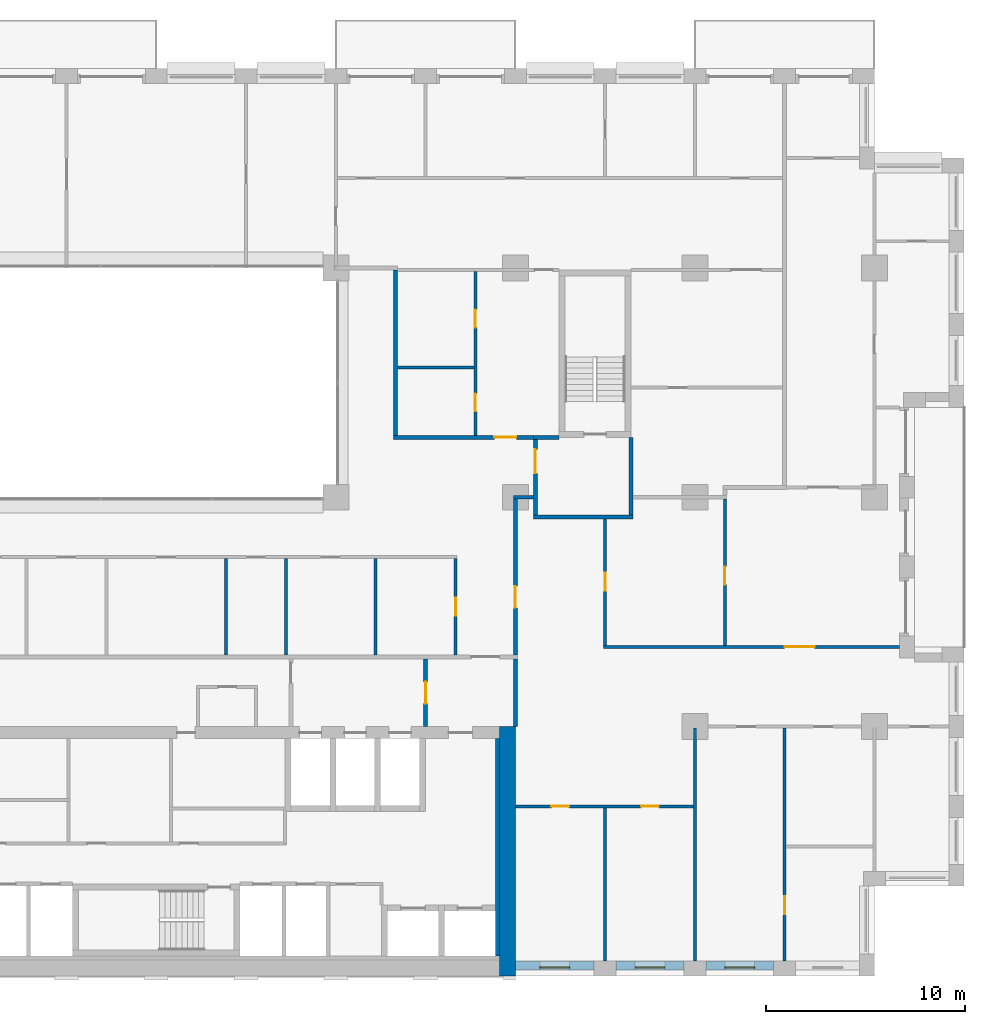
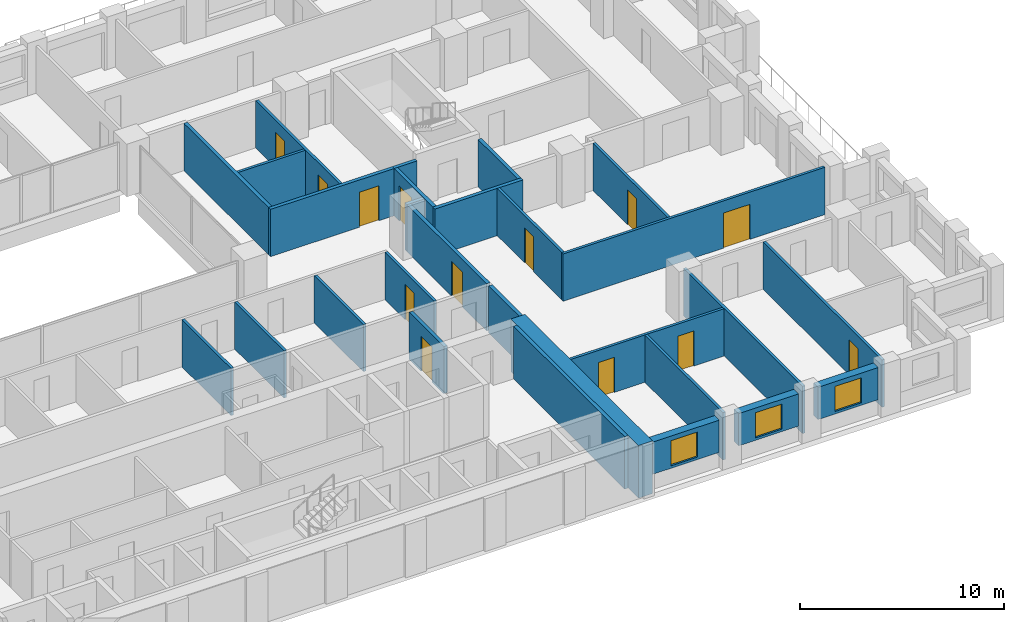
# One storey, part 11 of 16: 28 walls, 13 doors, 3 windows, 16 openings.
"""IFC4 building model written with IfcOpenShell, lengths in metres."""

import ifcopenshell
import ifcopenshell.guid

model = None  # the IFC model being written
_history = None  # IfcOwnerHistory: only IFC2X3 demands one
_inside = {}  # id of a spatial element -> (the spatial element, [elements in it])
_under = {}  # id of a project, library or spatial element -> (it, [spatial elements below it])
_declared = {}  # id of a project -> (the project, [libraries it declares])
_typed = {}  # id of a type object -> (the type object, [elements of that type])
_made_of = {}  # id of a material, layer set ... -> (it, [elements and type objects made of it])


def new_model(schema):
    """Start an empty IFC model of exactly this schema.

    Asked for "IFC4X3", IfcOpenShell would pick the latest addendum, in which some entities
    have other attributes; the version numbers below select the first issue.
    IFC2X3 requires an IfcOwnerHistory on every rooted entity: one is made here for all.
    """
    global model, _history
    if schema == "IFC4X3":
        model = ifcopenshell.file(schema_version=(4, 3, 0, 0))
    else:
        model = ifcopenshell.file(schema=schema)
    _inside.clear()
    _under.clear()
    _declared.clear()
    _typed.clear()
    _made_of.clear()
    _history = None
    if model.schema == "IFC2X3":
        org = make("IfcOrganization", Name="unknown")
        user = make(
            "IfcPersonAndOrganization",
            ThePerson=make("IfcPerson", FamilyName="unknown"),
            TheOrganization=org,
        )
        app = make(
            "IfcApplication",
            ApplicationDeveloper=org,
            Version="unknown",
            ApplicationFullName="unknown",
            ApplicationIdentifier="unknown",
        )
        _history = make(
            "IfcOwnerHistory",
            OwningUser=user,
            OwningApplication=app,
            ChangeAction="ADDED",
            CreationDate=0,
        )
    return model


def make(cls, **values):
    """One entity of the class cls with the attributes given. An attribute that is None is left unset."""
    return model.create_entity(
        cls, **{name: value for name, value in values.items() if value is not None}
    )


def rooted(cls, **values):
    """An entity with a GlobalId (a new one), such as an element, a storey or a relation."""
    return make(cls, GlobalId=ifcopenshell.guid.new(), OwnerHistory=_history, **values)


def si_unit(unit_type, name, prefix=None):
    """IfcSIUnit, for example si_unit("LENGTHUNIT", "METRE", prefix="MILLI")."""
    return make("IfcSIUnit", UnitType=unit_type, Prefix=prefix, Name=name)


def assignment(units):
    """IfcUnitAssignment: the units of a project."""
    return None if units is None else make("IfcUnitAssignment", Units=units)


def point(xyz):
    """IfcCartesianPoint."""
    return None if xyz is None else make("IfcCartesianPoint", Coordinates=xyz)


def direction(xyz):
    """IfcDirection."""
    return None if xyz is None else make("IfcDirection", DirectionRatios=xyz)


def frame(location, z_axis=None, x_axis=None):
    """IfcAxis2Placement3D, a coordinate frame: its origin and axes. An axis left out is left unset."""
    return make(
        "IfcAxis2Placement3D",
        Location=point(location),
        Axis=direction(z_axis),
        RefDirection=direction(x_axis),
    )


def frame_2d(location, x_axis=None):
    """IfcAxis2Placement2D, a coordinate frame in the plane: its origin and x axis."""
    return make(
        "IfcAxis2Placement2D", Location=point(location), RefDirection=direction(x_axis)
    )


def origin():
    """The frame at (0, 0, 0) with its axes left unset."""
    return frame((0.0, 0.0, 0.0))


def place(relative_to, where):
    """IfcLocalPlacement: puts the frame where relative to a parent placement (None: the world)."""
    return make(
        "IfcLocalPlacement", PlacementRelTo=relative_to, RelativePlacement=where
    )


def context(
    kind, dimensions, precision=None, world=None, true_north=None, identifier=None
):
    """IfcGeometricRepresentationContext, for example the 3D "Model" context."""
    return make(
        "IfcGeometricRepresentationContext",
        ContextIdentifier=identifier,
        ContextType=kind,
        CoordinateSpaceDimension=dimensions,
        Precision=precision,
        WorldCoordinateSystem=world,
        TrueNorth=true_north,
    )


def subcontext(parent, identifier, kind, view, scale=None):
    """IfcGeometricRepresentationSubContext, for example "Body" below "Model"."""
    return make(
        "IfcGeometricRepresentationSubContext",
        ContextIdentifier=identifier,
        ContextType=kind,
        ParentContext=parent,
        TargetScale=scale,
        TargetView=view,
    )


def project(units=None, contexts=None):
    """IfcProject with its units and contexts."""
    return rooted(
        "IfcProject",
        Name="project",
        RepresentationContexts=contexts,
        UnitsInContext=assignment(units),
    )


def spatial(cls, under=None, at=None, **own):
    """A site, building, storey or space (cls), placed at a placement, below another one or the project."""
    s = rooted(cls, ObjectPlacement=at, **own)
    if under is not None:
        _under.setdefault(under.id(), (under, []))[1].append(s)
    return s


def profile(cls, at=None, kind="AREA", **sizes):
    """A parametric profile (cls). Its sizes go by their IFC names, for example OverallWidth=200.0."""
    return make(cls, ProfileType=kind, Position=at, **sizes)


def rectangle(**sizes):
    """IfcRectangleProfileDef."""
    return profile("IfcRectangleProfileDef", **sizes)


def extrude(swept, where, along, depth):
    """IfcExtrudedAreaSolid: the profile swept, set in the frame where, extruded along a direction by depth."""
    return make(
        "IfcExtrudedAreaSolid",
        SweptArea=swept,
        Position=where,
        ExtrudedDirection=direction(along),
        Depth=depth,
    )


def shape(context_of_items, identifier, shape_type, items):
    """IfcShapeRepresentation: the items that make up one representation, for example the "Body"."""
    return make(
        "IfcShapeRepresentation",
        ContextOfItems=context_of_items,
        RepresentationIdentifier=identifier,
        RepresentationType=shape_type,
        Items=items,
    )


def material(Name=None, Category=None):
    """IfcMaterial."""
    return make("IfcMaterial", Name=Name, Category=Category)


def layer(
    of_material, thickness, ventilated=None, Name=None, Category=None, Priority=None
):
    """IfcMaterialLayer: one layer of a wall or slab, of a material (None: an air gap)."""
    return make(
        "IfcMaterialLayer",
        Material=of_material,
        LayerThickness=thickness,
        IsVentilated=ventilated,
        Name=Name,
        Category=Category,
        Priority=Priority,
    )


def layer_set(layers, Name=None):
    """IfcMaterialLayerSet."""
    return make("IfcMaterialLayerSet", MaterialLayers=layers, LayerSetName=Name)


def made_of(thing, what):
    """Note that an element or type object is made of a material, layer set ...; save() writes the relation."""
    if what is not None:
        _made_of.setdefault(what.id(), (what, []))[1].append(thing)
    return thing


def type_object(cls, material=None, **own):
    """A type object (cls), such as IfcWallType, which elements share."""
    return made_of(rooted(cls, **own), material)


def element(
    cls,
    number,
    at=None,
    inside=None,
    cuts=None,
    type_object=None,
    material=None,
    context=None,
    identifier="Body",
    shape_type=None,
    held_by="IfcProductDefinitionShape",
    body=None,
    shapes=None,
    **own,
):
    """One element of the class cls, such as IfcWall. Its Tag is "e" and its number.

    at: its placement. inside: the storey or other place that contains it. cuts: it is an
    opening in that element (IfcRelVoidsElement). A single representation is given by context,
    identifier, shape_type and body (its items); several are given by shapes. held_by: the class
    of the entity that holds the representations. save() writes the other relations.
    """
    e = rooted(cls, Tag="e%d" % number, ObjectPlacement=at, **own)
    if body is not None:
        shapes = [shape(context, identifier, shape_type, body)]
    if shapes is not None:
        e.Representation = make(held_by, Representations=shapes)
    if inside is not None:
        _inside.setdefault(inside.id(), (inside, []))[1].append(e)
    if cuts is not None:
        rooted(
            "IfcRelVoidsElement", RelatingBuildingElement=cuts, RelatedOpeningElement=e
        )
    if type_object is not None:
        _typed.setdefault(type_object.id(), (type_object, []))[1].append(e)
    return made_of(e, material)


def fill(opening, filler):
    """IfcRelFillsElement: the door or window that sits in an opening."""
    return rooted(
        "IfcRelFillsElement",
        RelatingOpeningElement=opening,
        RelatedBuildingElement=filler,
    )


def aggregate(whole, parts):
    """IfcRelAggregates: a whole, such as a stair, and the parts it consists of."""
    return rooted("IfcRelAggregates", RelatingObject=whole, RelatedObjects=parts)


def save(model, path):
    """Write the relations noted so far, then the file.

    IfcRelAggregates (storeys below a building ...), IfcRelContainedInSpatialStructure (elements
    in a storey), IfcRelDefinesByType, IfcRelAssociatesMaterial and IfcRelDeclares: one each for
    every whole, place, type object, material and project.
    """
    for whole, parts in _under.values():
        aggregate(whole, parts)
    for where, things in _inside.values():
        rooted(
            "IfcRelContainedInSpatialStructure",
            RelatedElements=things,
            RelatingStructure=where,
        )
    for kind, things in _typed.values():
        rooted("IfcRelDefinesByType", RelatedObjects=things, RelatingType=kind)
    for what, things in _made_of.values():
        rooted("IfcRelAssociatesMaterial", RelatedObjects=things, RelatingMaterial=what)
    for by, libraries in _declared.values():
        rooted("IfcRelDeclares", RelatingContext=by, RelatedDefinitions=libraries)
    model.write(path)


model = new_model("IFC4")

# Units and contexts
model_context = context("Model", 3, precision=1e-05, world=origin(), true_north=direction((0.0, 1.0)))
body_context = subcontext(model_context, "Body", "Model", "MODEL_VIEW")
ifc_project = project(units=[si_unit("LENGTHUNIT", "METRE"), si_unit("AREAUNIT", "SQUARE_METRE"), si_unit("VOLUMEUNIT", "CUBIC_METRE"), si_unit("PLANEANGLEUNIT", "RADIAN"), si_unit("MASSUNIT", "GRAM", prefix="KILO")], contexts=[model_context])

# Site, building, storey
site_placement = place(None, origin())
site = spatial("IfcSite", under=ifc_project, at=site_placement, CompositionType="ELEMENT")
building_placement = place(site_placement, origin())
building = spatial("IfcBuilding", under=site, at=building_placement, Name="Brigalow Station Residences", CompositionType="ELEMENT")
storey_placement = place(building_placement, frame((0.0, 0.0, 99.300048828125)))
storey = spatial("IfcBuildingStorey", under=building, at=storey_placement, Name="L28", CompositionType="ELEMENT", Elevation=99.300048828125)

# Wall, opening, window
ifc_material_1 = material(Name="Clay brick masonry", Category="masonry")
ifc_layer_1 = layer(ifc_material_1, 0.449951171875)
ifc_layer_set_1 = layer_set([ifc_layer_1], Name="BRICK INFILL WALL 450")
wall_type_1 = type_object("IfcWallType", Name="BRICK INFILL WALL 450", PredefinedType="SOLIDWALL", material=ifc_layer_set_1)
wall_1_placement = place(storey_placement, frame((54.0, 0.52490234375, 0.89990234375), z_axis=(0.0, 0.0, 1.0), x_axis=(1.0, 0.0, 0.0)))
wall_1 = element("IfcWall", 1, at=wall_1_placement, inside=storey, type_object=wall_type_1, Name="L28/ewall/W-L28-4", PredefinedType="SOLIDWALL", context=body_context, shape_type="SweptSolid", body=[
    extrude(rectangle(XDim=3.949951171875, YDim=0.449951171875, at=frame_2d((1.97509765625, 0.0))), origin(), (0.0, 0.0, 1.0), 1.929931640625),
])
opening_1_placement = place(wall_1_placement, frame((1.22509765625, 0.0, 0.14990234375)))
opening_1 = element("IfcOpeningElement", 2, at=opening_1_placement, cuts=wall_1, Name="Opening WT-1", PredefinedType="OPENING", context=body_context, shape_type="SweptSolid", body=[
    extrude(rectangle(XDim=1.5, YDim=1.5, at=frame_2d((0.75, 0.75))), frame((0.0, 0.23486328125, 0.0), z_axis=(0.0, -1.0, 0.0), x_axis=(1.0, 0.0, 0.0)), (0.0, 0.0, 1.0), 0.469970703125),
])
ifc_material_2 = material(Name="Anodised aluminium frame with double glazing", Category="aluminium")
window_type = type_object("IfcWindowType", Name="WINDOW 1500x1500", PartitioningType="SINGLE_PANEL", PredefinedType="WINDOW", material=ifc_material_2)
window_1_placement = place(opening_1_placement, origin())
window_1 = element("IfcWindow", 3, at=window_1_placement, inside=storey, type_object=window_type, Name="L28/window/W-L28-4", OverallHeight=1.5, OverallWidth=1.5, PartitioningType="SINGLE_PANEL", PredefinedType="WINDOW", context=body_context, shape_type="SweptSolid", body=[
    extrude(rectangle(XDim=1.5, YDim=1.5, at=frame_2d((0.75, 0.75))), frame((0.0, -0.06494140625, 0.0), z_axis=(0.0, -1.0, 0.0), x_axis=(1.0, 0.0, 0.0)), (0.0, 0.0, 1.0), 0.06005859375),
])
fill(opening_1, window_1)

wall_2_placement = place(storey_placement, frame((59.050048828125, 0.52490234375, 0.89990234375), z_axis=(0.0, 0.0, 1.0), x_axis=(1.0, 0.0, 0.0)))
wall_2 = element("IfcWall", 4, at=wall_2_placement, inside=storey, type_object=wall_type_1, Name="L28/ewall/W-L28-5", PredefinedType="SOLIDWALL", context=body_context, shape_type="SweptSolid", body=[
    extrude(rectangle(XDim=3.39990234375, YDim=0.449951171875, at=frame_2d((1.699951171875, 0.0))), origin(), (0.0, 0.0, 1.0), 1.929931640625),
])
opening_2_placement = place(wall_2_placement, frame((0.949951171875, 0.0, 0.14990234375)))
opening_2 = element("IfcOpeningElement", 5, at=opening_2_placement, cuts=wall_2, Name="Opening WT-1", PredefinedType="OPENING", context=body_context, shape_type="SweptSolid", body=[
    extrude(rectangle(XDim=1.5, YDim=1.5, at=frame_2d((0.75, 0.75))), frame((0.0, 0.23486328125, 0.0), z_axis=(0.0, -1.0, 0.0), x_axis=(1.0, 0.0, 0.0)), (0.0, 0.0, 1.0), 0.469970703125),
])
window_2_placement = place(opening_2_placement, origin())
window_2 = element("IfcWindow", 6, at=window_2_placement, inside=storey, type_object=window_type, Name="L28/window/W-L28-5", OverallHeight=1.5, OverallWidth=1.5, PartitioningType="SINGLE_PANEL", PredefinedType="WINDOW", context=body_context, shape_type="SweptSolid", body=[
    extrude(rectangle(XDim=1.5, YDim=1.5, at=frame_2d((0.75, 0.75))), frame((0.0, -0.06494140625, 0.0), z_axis=(0.0, -1.0, 0.0), x_axis=(1.0, 0.0, 0.0)), (0.0, 0.0, 1.0), 0.06005859375),
])
fill(opening_2, window_2)

wall_3_placement = place(storey_placement, frame((63.550048828125, 0.52490234375, 0.89990234375), z_axis=(0.0, 0.0, 1.0), x_axis=(1.0, 0.0, 0.0)))
wall_3 = element("IfcWall", 7, at=wall_3_placement, inside=storey, type_object=wall_type_1, Name="L28/ewall/W-L28-6", PredefinedType="SOLIDWALL", context=body_context, shape_type="SweptSolid", body=[
    extrude(rectangle(XDim=3.39990234375, YDim=0.449951171875, at=frame_2d((1.699951171875, 0.0))), origin(), (0.0, 0.0, 1.0), 1.929931640625),
])
opening_3_placement = place(wall_3_placement, frame((0.949951171875, 0.0, 0.14990234375)))
opening_3 = element("IfcOpeningElement", 8, at=opening_3_placement, cuts=wall_3, Name="Opening WT-1", PredefinedType="OPENING", context=body_context, shape_type="SweptSolid", body=[
    extrude(rectangle(XDim=1.5, YDim=1.5, at=frame_2d((0.75, 0.75))), frame((0.0, 0.23486328125, 0.0), z_axis=(0.0, -1.0, 0.0), x_axis=(1.0, 0.0, 0.0)), (0.0, 0.0, 1.0), 0.469970703125),
])
window_3_placement = place(opening_3_placement, origin())
window_3 = element("IfcWindow", 9, at=window_3_placement, inside=storey, type_object=window_type, Name="L28/window/W-L28-6", OverallHeight=1.5, OverallWidth=1.5, PartitioningType="SINGLE_PANEL", PredefinedType="WINDOW", context=body_context, shape_type="SweptSolid", body=[
    extrude(rectangle(XDim=1.5, YDim=1.5, at=frame_2d((0.75, 0.75))), frame((0.0, -0.06494140625, 0.0), z_axis=(0.0, -1.0, 0.0), x_axis=(1.0, 0.0, 0.0)), (0.0, 0.0, 1.0), 0.06005859375),
])
fill(opening_3, window_3)

# Walls
ifc_material_3 = material(Name="Concrete C65", Category="concrete")
ifc_layer_2 = layer(ifc_material_3, 0.199951171875)
ifc_layer_set_2 = layer_set([ifc_layer_2], Name="CORE SHEAR WALL 200 C65")
wall_type_2 = type_object("IfcWallType", Name="CORE SHEAR WALL 200 C65", PredefinedType="SHEAR", material=ifc_layer_set_2)
wall_4_placement = place(storey_placement, frame((53.10009765625, 1.0, 0.0), z_axis=(0.0, 0.0, 1.0), x_axis=(0.0, 1.0, 0.0)))
element("IfcWall", 10, at=wall_4_placement, inside=storey, type_object=wall_type_2, Name="CORE WALL LIN-E L28", PredefinedType="SHEAR", context=body_context, shape_type="SweptSolid", body=[
    extrude(rectangle(XDim=10.89990234375, YDim=0.199951171875, at=frame_2d((5.449951171875, 0.0))), origin(), (0.0, 0.0, 1.0), 3.14990234375),
])
ifc_material_4 = material(Name="Concrete C65", Category="concrete")
ifc_layer_3 = layer(ifc_material_4, 0.800048828125)
ifc_layer_set_3 = layer_set([ifc_layer_3], Name="CORE SHEAR WALL 800 C65")
wall_type_3 = type_object("IfcWallType", Name="CORE SHEAR WALL 800 C65", PredefinedType="SHEAR", material=ifc_layer_set_3)
wall_5_placement = place(storey_placement, frame((53.60009765625, 0.0, 0.0), z_axis=(0.0, 0.0, 1.0), x_axis=(0.0, 1.0, 0.0)))
element("IfcWall", 11, at=wall_5_placement, inside=storey, type_object=wall_type_3, Name="CORE WALL OUT-E L28", PredefinedType="SHEAR", context=body_context, shape_type="SweptSolid", body=[
    extrude(rectangle(XDim=12.5, YDim=0.800048828125, at=frame_2d((6.25, 0.0))), origin(), (0.0, 0.0, 1.0), 3.14990234375),
])
ifc_material_5 = material(Name="Concrete blockwork", Category="masonry")
ifc_layer_4 = layer(ifc_material_5, 0.199951171875)
ifc_layer_set_4 = layer_set([ifc_layer_4], Name="FIRE RATED CORE PARTITION 200")
wall_type_4 = type_object("IfcWallType", Name="FIRE RATED CORE PARTITION 200", PredefinedType="PARTITIONING", material=ifc_layer_set_4)
wall_6_placement = place(storey_placement, frame((54.89990234375, 23.0, 0.0), z_axis=(0.0, 0.0, 1.0), x_axis=(1.0, 0.0, 0.0)))
element("IfcWall", 12, at=wall_6_placement, inside=storey, type_object=wall_type_4, Name="PW-5024", PredefinedType="PARTITIONING", context=body_context, shape_type="SweptSolid", body=[
    extrude(rectangle(XDim=5.0, YDim=0.199951171875, at=frame_2d((2.5, 0.0))), origin(), (0.0, 0.0, 1.0), 2.829833984375),
])
wall_7_placement = place(storey_placement, frame((54.89990234375, 27.0, 0.0), z_axis=(0.0, 0.0, 1.0), x_axis=(1.0, 0.0, 0.0)))
element("IfcWall", 13, at=wall_7_placement, inside=storey, type_object=wall_type_4, Name="PW-5026", PredefinedType="PARTITIONING", context=body_context, shape_type="SweptSolid", body=[
    extrude(rectangle(XDim=1.300048828125, YDim=0.199951171875, at=frame_2d((0.64990234375, 0.0))), origin(), (0.0, 0.0, 1.0), 2.829833984375),
])

# Wall, opening, door
wall_8_placement = place(storey_placement, frame((49.5, 12.5, 0.0), z_axis=(0.0, 0.0, 1.0), x_axis=(0.0, 1.0, 0.0)))
wall_8 = element("IfcWall", 14, at=wall_8_placement, inside=storey, type_object=wall_type_4, Name="PW-5015", PredefinedType="PARTITIONING", context=body_context, shape_type="SweptSolid", body=[
    extrude(rectangle(XDim=3.39990234375, YDim=0.199951171875, at=frame_2d((1.699951171875, 0.0))), origin(), (0.0, 0.0, 1.0), 2.829833984375),
])
opening_4_placement = place(wall_8_placement, frame((1.14990234375, 0.0, 0.0)))
opening_4 = element("IfcOpeningElement", 15, at=opening_4_placement, cuts=wall_8, Name="Opening D-5014", PredefinedType="OPENING", context=body_context, shape_type="SweptSolid", body=[
    extrude(rectangle(XDim=1.10009765625, YDim=2.10009765625, at=frame_2d((0.550048828125, 1.050048828125))), frame((0.0, 0.10986328125, 0.0), z_axis=(0.0, -1.0, 0.0), x_axis=(1.0, 0.0, 0.0)), (0.0, 0.0, 1.0), 0.219970703125),
])
ifc_material_6 = material(Name="Steel fire door leaf in steel frame", Category="steel")
door_type_1 = type_object("IfcDoorType", Name="LOBBY DOOR 1100 x 2100 FD60S", OperationType="SINGLE_SWING_LEFT", PredefinedType="DOOR", material=ifc_material_6)
door_1_placement = place(opening_4_placement, origin())
door_1 = element("IfcDoor", 16, at=door_1_placement, inside=storey, type_object=door_type_1, Name="D-5014", OperationType="SINGLE_SWING_LEFT", OverallHeight=2.10009765625, OverallWidth=1.10009765625, PredefinedType="DOOR", context=body_context, shape_type="SweptSolid", body=[
    extrude(rectangle(XDim=1.10009765625, YDim=2.10009765625, at=frame_2d((0.550048828125, 1.050048828125))), frame((0.0, 0.02490234375, 0.0), z_axis=(0.0, -1.0, 0.0), x_axis=(1.0, 0.0, 0.0)), (0.0, 0.0, 1.0), 0.050048828125),
])
fill(opening_4, door_1)

# Wall
wall_9_placement = place(storey_placement, frame((54.0, 12.5, 0.0), z_axis=(0.0, 0.0, 1.0), x_axis=(0.0, 1.0, 0.0)))
element("IfcWall", 17, at=wall_9_placement, inside=storey, type_object=wall_type_4, Name="PW-5016", PredefinedType="PARTITIONING", context=body_context, shape_type="SweptSolid", body=[
    extrude(rectangle(XDim=3.39990234375, YDim=0.199951171875, at=frame_2d((1.699951171875, 0.0))), origin(), (0.0, 0.0, 1.0), 2.829833984375),
])

# Wall, opening, door
wall_10_placement = place(storey_placement, frame((55.0, 23.10009765625, 0.0), z_axis=(0.0, 0.0, 1.0), x_axis=(0.0, 1.0, 0.0)))
wall_10 = element("IfcWall", 18, at=wall_10_placement, inside=storey, type_object=wall_type_4, Name="PW-5036", PredefinedType="PARTITIONING", context=body_context, shape_type="SweptSolid", body=[
    extrude(rectangle(XDim=3.7998046875, YDim=0.199951171875, at=frame_2d((1.89990234375, 0.0))), origin(), (0.0, 0.0, 1.0), 2.829833984375),
])
opening_5_placement = place(wall_10_placement, frame((2.10009765625, 0.0, 0.0)))
opening_5 = element("IfcOpeningElement", 19, at=opening_5_placement, cuts=wall_10, Name="Opening D-5019", PredefinedType="OPENING", context=body_context, shape_type="SweptSolid", body=[
    extrude(rectangle(XDim=1.199951171875, YDim=2.10009765625, at=frame_2d((0.60009765625, 1.050048828125))), frame((0.0, 0.10986328125, 0.0), z_axis=(0.0, -1.0, 0.0), x_axis=(1.0, 0.0, 0.0)), (0.0, 0.0, 1.0), 0.219970703125),
])
ifc_material_7 = material(Name="Steel fire door leaf in steel frame", Category="steel")
door_type_2 = type_object("IfcDoorType", Name="STAIR LOBBY DOOR 1200 x 2100 FD60S", OperationType="SINGLE_SWING_LEFT", PredefinedType="DOOR", material=ifc_material_7)
door_2_placement = place(opening_5_placement, frame((1.199951171875, 0.0, 0.0), z_axis=(0.0, 0.0, 1.0), x_axis=(-1.0, 0.0, 0.0)))
door_2 = element("IfcDoor", 20, at=door_2_placement, inside=storey, type_object=door_type_2, Name="D-5019", OperationType="SINGLE_SWING_LEFT", OverallHeight=2.10009765625, OverallWidth=1.199951171875, PredefinedType="DOOR", context=body_context, shape_type="SweptSolid", body=[
    extrude(rectangle(XDim=1.199951171875, YDim=2.10009765625, at=frame_2d((0.60009765625, 1.050048828125))), frame((0.0, 0.02490234375, 0.0), z_axis=(0.0, -1.0, 0.0), x_axis=(1.0, 0.0, 0.0)), (0.0, 0.0, 1.0), 0.050048828125),
])
fill(opening_5, door_2)

# Wall
wall_11_placement = place(storey_placement, frame((59.800048828125, 23.10009765625, 0.0), z_axis=(0.0, 0.0, 1.0), x_axis=(0.0, 1.0, 0.0)))
element("IfcWall", 21, at=wall_11_placement, inside=storey, type_object=wall_type_4, Name="PW-5037", PredefinedType="PARTITIONING", context=body_context, shape_type="SweptSolid", body=[
    extrude(rectangle(XDim=3.89990234375, YDim=0.199951171875, at=frame_2d((1.949951171875, 0.0))), origin(), (0.0, 0.0, 1.0), 2.829833984375),
])

# Wall, openings, doors
ifc_material_8 = material(Name="Plasterboard on steel stud partition", Category="steel")
ifc_layer_5 = layer(ifc_material_8, 0.14990234375)
ifc_layer_set_5 = layer_set([ifc_layer_5], Name="FLAT PARTITION 150")
wall_type_5 = type_object("IfcWallType", Name="FLAT PARTITION 150", PredefinedType="PARTITIONING", material=ifc_layer_set_5)
wall_12_placement = place(storey_placement, frame((54.0, 8.5, 0.0), z_axis=(0.0, 0.0, 1.0), x_axis=(1.0, 0.0, 0.0)))
wall_12 = element("IfcWall", 22, at=wall_12_placement, inside=storey, type_object=wall_type_5, Name="PW-2B12", PredefinedType="PARTITIONING", context=body_context, shape_type="SweptSolid", body=[
    extrude(rectangle(XDim=8.925048828125, YDim=0.14990234375, at=frame_2d((4.46240234375, 0.0))), origin(), (0.0, 0.0, 1.0), 2.829833984375),
])
opening_6_placement = place(wall_12_placement, frame((1.800048828125, 0.0, 0.0)))
opening_6 = element("IfcOpeningElement", 23, at=opening_6_placement, cuts=wall_12, Name="Opening D-2B34", PredefinedType="OPENING", context=body_context, shape_type="SweptSolid", body=[
    extrude(rectangle(XDim=0.89990234375, YDim=2.10009765625, at=frame_2d((0.449951171875, 1.050048828125))), frame((0.0, 0.0849609375, 0.0), z_axis=(0.0, -1.0, 0.0), x_axis=(1.0, 0.0, 0.0)), (0.0, 0.0, 1.0), 0.169921875),
])
opening_7_placement = place(wall_12_placement, frame((6.300048828125, 0.0, 0.0)))
opening_7 = element("IfcOpeningElement", 24, at=opening_7_placement, cuts=wall_12, Name="Opening D-2B36", PredefinedType="OPENING", context=body_context, shape_type="SweptSolid", body=[
    extrude(rectangle(XDim=0.89990234375, YDim=2.10009765625, at=frame_2d((0.449951171875, 1.050048828125))), frame((0.0, 0.0849609375, 0.0), z_axis=(0.0, -1.0, 0.0), x_axis=(1.0, 0.0, 0.0)), (0.0, 0.0, 1.0), 0.169921875),
])
ifc_material_9 = material(Name="Solid-core timber door leaf", Category="wood")
door_type_3 = type_object("IfcDoorType", Name="INTERNAL DOOR 900 x 2100", OperationType="SINGLE_SWING_LEFT", PredefinedType="DOOR", material=ifc_material_9)
door_3_placement = place(opening_6_placement, frame((0.89990234375, 0.0, 0.0), z_axis=(0.0, 0.0, 1.0), x_axis=(-1.0, 0.0, 0.0)))
door_3 = element("IfcDoor", 25, at=door_3_placement, inside=storey, type_object=door_type_3, Name="D-2B34", OperationType="SINGLE_SWING_LEFT", OverallHeight=2.10009765625, OverallWidth=0.89990234375, PredefinedType="DOOR", context=body_context, shape_type="SweptSolid", body=[
    extrude(rectangle(XDim=0.89990234375, YDim=2.10009765625, at=frame_2d((0.449951171875, 1.050048828125))), frame((0.0, 0.02490234375, 0.0), z_axis=(0.0, -1.0, 0.0), x_axis=(1.0, 0.0, 0.0)), (0.0, 0.0, 1.0), 0.050048828125),
])
fill(opening_6, door_3)
door_4_placement = place(opening_7_placement, frame((0.89990234375, 0.0, 0.0), z_axis=(0.0, 0.0, 1.0), x_axis=(-1.0, 0.0, 0.0)))
door_4 = element("IfcDoor", 26, at=door_4_placement, inside=storey, type_object=door_type_3, Name="D-2B36", OperationType="SINGLE_SWING_RIGHT", OverallHeight=2.10009765625, OverallWidth=0.89990234375, PredefinedType="DOOR", context=body_context, shape_type="SweptSolid", body=[
    extrude(rectangle(XDim=0.89990234375, YDim=2.10009765625, at=frame_2d((0.449951171875, 1.050048828125))), frame((0.0, 0.02490234375, 0.0), z_axis=(0.0, -1.0, 0.0), x_axis=(1.0, 0.0, 0.0)), (0.0, 0.0, 1.0), 0.050048828125),
])
fill(opening_7, door_4)

# Wall, opening, door
wall_13_placement = place(storey_placement, frame((58.425048828125, 16.5, 0.0), z_axis=(0.0, 0.0, 1.0), x_axis=(1.0, 0.0, 0.0)))
wall_13 = element("IfcWall", 27, at=wall_13_placement, inside=storey, type_object=wall_type_5, Name="PW-2B15", PredefinedType="PARTITIONING", context=body_context, shape_type="SweptSolid", body=[
    extrude(rectangle(XDim=14.824951171875, YDim=0.14990234375, at=frame_2d((7.41259765625, 0.0))), origin(), (0.0, 0.0, 1.0), 2.829833984375),
])
opening_8_placement = place(wall_13_placement, frame((9.074951171875, 0.0, 0.0)))
opening_8 = element("IfcOpeningElement", 28, at=opening_8_placement, cuts=wall_13, Name="Opening D-2B42", PredefinedType="OPENING", context=body_context, shape_type="SweptSolid", body=[
    extrude(rectangle(XDim=1.5, YDim=2.10009765625, at=frame_2d((0.75, 1.050048828125))), frame((0.0, 0.0849609375, 0.0), z_axis=(0.0, -1.0, 0.0), x_axis=(1.0, 0.0, 0.0)), (0.0, 0.0, 1.0), 0.169921875),
])
ifc_material_10 = material(Name="Solid-core timber door leaf", Category="wood")
door_type_4 = type_object("IfcDoorType", Name="INTERNAL DOUBLE DOOR 1500 x 2100", OperationType="DOUBLE_DOOR_SINGLE_SWING", PredefinedType="DOOR", material=ifc_material_10)
door_5_placement = place(opening_8_placement, origin())
door_5 = element("IfcDoor", 29, at=door_5_placement, inside=storey, type_object=door_type_4, Name="D-2B42", OperationType="DOUBLE_DOOR_SINGLE_SWING", OverallHeight=2.10009765625, OverallWidth=1.5, PredefinedType="DOOR", context=body_context, shape_type="SweptSolid", body=[
    extrude(rectangle(XDim=1.5, YDim=2.10009765625, at=frame_2d((0.75, 1.050048828125))), frame((0.0, 0.02490234375, 0.0), z_axis=(0.0, -1.0, 0.0), x_axis=(1.0, 0.0, 0.0)), (0.0, 0.0, 1.0), 0.050048828125),
])
fill(opening_8, door_5)

# Wall
wall_14_placement = place(storey_placement, frame((48.10009765625, 30.5, 0.0), z_axis=(0.0, 0.0, 1.0), x_axis=(1.0, 0.0, 0.0)))
element("IfcWall", 30, at=wall_14_placement, inside=storey, type_object=wall_type_5, Name="PW-2B33", PredefinedType="PARTITIONING", context=body_context, shape_type="SweptSolid", body=[
    extrude(rectangle(XDim=3.824951171875, YDim=0.14990234375, at=frame_2d((1.91259765625, 0.0))), origin(), (0.0, 0.0, 1.0), 2.829833984375),
])

# Wall, opening, door
wall_15_placement = place(storey_placement, frame((51.0, 16.10009765625, 0.0), z_axis=(0.0, 0.0, 1.0), x_axis=(0.0, 1.0, 0.0)))
wall_15 = element("IfcWall", 31, at=wall_15_placement, inside=storey, type_object=wall_type_5, Name="PW-2B42", PredefinedType="PARTITIONING", context=body_context, shape_type="SweptSolid", body=[
    extrude(rectangle(XDim=4.824951171875, YDim=0.14990234375, at=frame_2d((2.41259765625, 0.0))), origin(), (0.0, 0.0, 1.0), 2.829833984375),
])
opening_9_placement = place(wall_15_placement, frame((1.949951171875, 0.0, 0.0)))
opening_9 = element("IfcOpeningElement", 32, at=opening_9_placement, cuts=wall_15, Name="Opening D-2B53", PredefinedType="OPENING", context=body_context, shape_type="SweptSolid", body=[
    extrude(rectangle(XDim=0.89990234375, YDim=2.10009765625, at=frame_2d((0.449951171875, 1.050048828125))), frame((0.0, 0.0849609375, 0.0), z_axis=(0.0, -1.0, 0.0), x_axis=(1.0, 0.0, 0.0)), (0.0, 0.0, 1.0), 0.169921875),
])
door_6_placement = place(opening_9_placement, origin())
door_6 = element("IfcDoor", 33, at=door_6_placement, inside=storey, type_object=door_type_3, Name="D-2B53", OperationType="SINGLE_SWING_LEFT", OverallHeight=2.10009765625, OverallWidth=0.89990234375, PredefinedType="DOOR", context=body_context, shape_type="SweptSolid", body=[
    extrude(rectangle(XDim=0.89990234375, YDim=2.10009765625, at=frame_2d((0.449951171875, 1.050048828125))), frame((0.0, 0.02490234375, 0.0), z_axis=(0.0, -1.0, 0.0), x_axis=(1.0, 0.0, 0.0)), (0.0, 0.0, 1.0), 0.050048828125),
])
fill(opening_9, door_6)

# Wall, openings, doors
wall_16_placement = place(storey_placement, frame((52.0, 27.10009765625, 0.0), z_axis=(0.0, 0.0, 1.0), x_axis=(0.0, 1.0, 0.0)))
wall_16 = element("IfcWall", 34, at=wall_16_placement, inside=storey, type_object=wall_type_5, Name="PW-2B53", PredefinedType="PARTITIONING", context=body_context, shape_type="SweptSolid", body=[
    extrude(rectangle(XDim=8.224853515625, YDim=0.14990234375, at=frame_2d((4.1123046875, 0.0))), origin(), (0.0, 0.0, 1.0), 2.829833984375),
])
opening_10_placement = place(wall_16_placement, frame((1.199951171875, 0.0, 0.0)))
opening_10 = element("IfcOpeningElement", 35, at=opening_10_placement, cuts=wall_16, Name="Opening D-2B21", PredefinedType="OPENING", context=body_context, shape_type="SweptSolid", body=[
    extrude(rectangle(XDim=0.89990234375, YDim=2.10009765625, at=frame_2d((0.449951171875, 1.050048828125))), frame((0.0, 0.0849609375, 0.0), z_axis=(0.0, -1.0, 0.0), x_axis=(1.0, 0.0, 0.0)), (0.0, 0.0, 1.0), 0.169921875),
])
opening_11_placement = place(wall_16_placement, frame((5.39990234375, 0.0, 0.0)))
opening_11 = element("IfcOpeningElement", 36, at=opening_11_placement, cuts=wall_16, Name="Opening D-2B22", PredefinedType="OPENING", context=body_context, shape_type="SweptSolid", body=[
    extrude(rectangle(XDim=0.89990234375, YDim=2.10009765625, at=frame_2d((0.449951171875, 1.050048828125))), frame((0.0, 0.0849609375, 0.0), z_axis=(0.0, -1.0, 0.0), x_axis=(1.0, 0.0, 0.0)), (0.0, 0.0, 1.0), 0.169921875),
])
door_7_placement = place(opening_10_placement, origin())
door_7 = element("IfcDoor", 37, at=door_7_placement, inside=storey, type_object=door_type_3, Name="D-2B21", OperationType="SINGLE_SWING_LEFT", OverallHeight=2.10009765625, OverallWidth=0.89990234375, PredefinedType="DOOR", context=body_context, shape_type="SweptSolid", body=[
    extrude(rectangle(XDim=0.89990234375, YDim=2.10009765625, at=frame_2d((0.449951171875, 1.050048828125))), frame((0.0, 0.02490234375, 0.0), z_axis=(0.0, -1.0, 0.0), x_axis=(1.0, 0.0, 0.0)), (0.0, 0.0, 1.0), 0.050048828125),
])
fill(opening_10, door_7)
door_8_placement = place(opening_11_placement, origin())
door_8 = element("IfcDoor", 38, at=door_8_placement, inside=storey, type_object=door_type_3, Name="D-2B22", OperationType="SINGLE_SWING_RIGHT", OverallHeight=2.10009765625, OverallWidth=0.89990234375, PredefinedType="DOOR", context=body_context, shape_type="SweptSolid", body=[
    extrude(rectangle(XDim=0.89990234375, YDim=2.10009765625, at=frame_2d((0.449951171875, 1.050048828125))), frame((0.0, 0.02490234375, 0.0), z_axis=(0.0, -1.0, 0.0), x_axis=(1.0, 0.0, 0.0)), (0.0, 0.0, 1.0), 0.050048828125),
])
fill(opening_11, door_8)

# Wall, opening, door
wall_17_placement = place(storey_placement, frame((67.5, 0.75, 0.0), z_axis=(0.0, 0.0, 1.0), x_axis=(0.0, 1.0, 0.0)))
wall_17 = element("IfcWall", 39, at=wall_17_placement, inside=storey, type_object=wall_type_5, Name="PW-2B57", PredefinedType="PARTITIONING", context=body_context, shape_type="SweptSolid", body=[
    extrude(rectangle(XDim=11.675048828125, YDim=0.14990234375, at=frame_2d((5.83740234375, 0.0))), origin(), (0.0, 0.0, 1.0), 2.829833984375),
])
opening_12_placement = place(wall_17_placement, frame((2.35009765625, 0.0, 0.0)))
opening_12 = element("IfcOpeningElement", 40, at=opening_12_placement, cuts=wall_17, Name="Opening D-2B38", PredefinedType="OPENING", context=body_context, shape_type="SweptSolid", body=[
    extrude(rectangle(XDim=0.89990234375, YDim=2.10009765625, at=frame_2d((0.449951171875, 1.050048828125))), frame((0.0, 0.0849609375, 0.0), z_axis=(0.0, -1.0, 0.0), x_axis=(1.0, 0.0, 0.0)), (0.0, 0.0, 1.0), 0.169921875),
])
door_9_placement = place(opening_12_placement, frame((0.89990234375, 0.0, 0.0), z_axis=(0.0, 0.0, 1.0), x_axis=(-1.0, 0.0, 0.0)))
door_9 = element("IfcDoor", 41, at=door_9_placement, inside=storey, type_object=door_type_3, Name="D-2B38", OperationType="SINGLE_SWING_RIGHT", OverallHeight=2.10009765625, OverallWidth=0.89990234375, PredefinedType="DOOR", context=body_context, shape_type="SweptSolid", body=[
    extrude(rectangle(XDim=0.89990234375, YDim=2.10009765625, at=frame_2d((0.449951171875, 1.050048828125))), frame((0.0, 0.02490234375, 0.0), z_axis=(0.0, -1.0, 0.0), x_axis=(1.0, 0.0, 0.0)), (0.0, 0.0, 1.0), 0.050048828125),
])
fill(opening_12, door_9)

# Wall
wall_18_placement = place(storey_placement, frame((58.5, 0.75, 0.0), z_axis=(0.0, 0.0, 1.0), x_axis=(0.0, 1.0, 0.0)))
element("IfcWall", 42, at=wall_18_placement, inside=storey, type_object=wall_type_5, Name="PW-2B60", PredefinedType="PARTITIONING", context=body_context, shape_type="SweptSolid", body=[
    extrude(rectangle(XDim=7.675048828125, YDim=0.14990234375, at=frame_2d((3.83740234375, 0.0))), origin(), (0.0, 0.0, 1.0), 2.829833984375),
])

# Wall, opening, door
wall_19_placement = place(storey_placement, frame((58.5, 16.574951171875, 0.0), z_axis=(0.0, 0.0, 1.0), x_axis=(0.0, 1.0, 0.0)))
wall_19 = element("IfcWall", 43, at=wall_19_placement, inside=storey, type_object=wall_type_5, Name="PW-2B61", PredefinedType="PARTITIONING", context=body_context, shape_type="SweptSolid", body=[
    extrude(rectangle(XDim=6.324951171875, YDim=0.14990234375, at=frame_2d((3.16259765625, 0.0))), origin(), (0.0, 0.0, 1.0), 2.829833984375),
])
opening_13_placement = place(wall_19_placement, frame((2.75, 0.0, 0.0)))
opening_13 = element("IfcOpeningElement", 44, at=opening_13_placement, cuts=wall_19, Name="Opening D-2B40", PredefinedType="OPENING", context=body_context, shape_type="SweptSolid", body=[
    extrude(rectangle(XDim=0.89990234375, YDim=2.10009765625, at=frame_2d((0.449951171875, 1.050048828125))), frame((0.0, 0.0849609375, 0.0), z_axis=(0.0, -1.0, 0.0), x_axis=(1.0, 0.0, 0.0)), (0.0, 0.0, 1.0), 0.169921875),
])
door_10_placement = place(opening_13_placement, frame((0.89990234375, 0.0, 0.0), z_axis=(0.0, 0.0, 1.0), x_axis=(-1.0, 0.0, 0.0)))
door_10 = element("IfcDoor", 45, at=door_10_placement, inside=storey, type_object=door_type_3, Name="D-2B40", OperationType="SINGLE_SWING_LEFT", OverallHeight=2.10009765625, OverallWidth=0.89990234375, PredefinedType="DOOR", context=body_context, shape_type="SweptSolid", body=[
    extrude(rectangle(XDim=0.89990234375, YDim=2.10009765625, at=frame_2d((0.449951171875, 1.050048828125))), frame((0.0, 0.02490234375, 0.0), z_axis=(0.0, -1.0, 0.0), x_axis=(1.0, 0.0, 0.0)), (0.0, 0.0, 1.0), 0.050048828125),
])
fill(opening_13, door_10)

# Wall
wall_20_placement = place(storey_placement, frame((63.0, 0.75, 0.0), z_axis=(0.0, 0.0, 1.0), x_axis=(0.0, 1.0, 0.0)))
element("IfcWall", 46, at=wall_20_placement, inside=storey, type_object=wall_type_5, Name="PW-2B63", PredefinedType="PARTITIONING", context=body_context, shape_type="SweptSolid", body=[
    extrude(rectangle(XDim=11.675048828125, YDim=0.14990234375, at=frame_2d((5.83740234375, 0.0))), origin(), (0.0, 0.0, 1.0), 2.829833984375),
])

# Wall, opening, door
wall_21_placement = place(storey_placement, frame((64.5, 16.574951171875, 0.0), z_axis=(0.0, 0.0, 1.0), x_axis=(0.0, 1.0, 0.0)))
wall_21 = element("IfcWall", 47, at=wall_21_placement, inside=storey, type_object=wall_type_5, Name="PW-2B65", PredefinedType="PARTITIONING", context=body_context, shape_type="SweptSolid", body=[
    extrude(rectangle(XDim=7.324951171875, YDim=0.14990234375, at=frame_2d((3.66259765625, 0.0))), origin(), (0.0, 0.0, 1.0), 2.829833984375),
])
opening_14_placement = place(wall_21_placement, frame((3.050048828125, 0.0, 0.0)))
opening_14 = element("IfcOpeningElement", 48, at=opening_14_placement, cuts=wall_21, Name="Opening D-2B41", PredefinedType="OPENING", context=body_context, shape_type="SweptSolid", body=[
    extrude(rectangle(XDim=0.89990234375, YDim=2.10009765625, at=frame_2d((0.449951171875, 1.050048828125))), frame((0.0, 0.0849609375, 0.0), z_axis=(0.0, -1.0, 0.0), x_axis=(1.0, 0.0, 0.0)), (0.0, 0.0, 1.0), 0.169921875),
])
door_11_placement = place(opening_14_placement, origin())
door_11 = element("IfcDoor", 49, at=door_11_placement, inside=storey, type_object=door_type_3, Name="D-2B41", OperationType="SINGLE_SWING_LEFT", OverallHeight=2.10009765625, OverallWidth=0.89990234375, PredefinedType="DOOR", context=body_context, shape_type="SweptSolid", body=[
    extrude(rectangle(XDim=0.89990234375, YDim=2.10009765625, at=frame_2d((0.449951171875, 1.050048828125))), frame((0.0, 0.02490234375, 0.0), z_axis=(0.0, -1.0, 0.0), x_axis=(1.0, 0.0, 0.0)), (0.0, 0.0, 1.0), 0.050048828125),
])
fill(opening_14, door_11)

# Walls
for number, where, z_axis, x_axis, name in (
    (50, (39.5, 16.10009765625, 0.0), (0.0, 0.0, 1.0), (0.0, 1.0, 0.0), "PW-2B72"),
    (51, (42.5, 16.10009765625, 0.0), (0.0, 0.0, 1.0), (0.0, 1.0, 0.0), "PW-2B73"),
    (52, (47.0, 16.10009765625, 0.0), (0.0, 0.0, 1.0), (0.0, 1.0, 0.0), "PW-2B74"),
):
    element("IfcWall", number, at=place(storey_placement, frame(where, z_axis=z_axis, x_axis=x_axis)), inside=storey, type_object=wall_type_5, Name=name, PredefinedType="PARTITIONING", context=body_context, shape_type="SweptSolid", body=[
        extrude(rectangle(XDim=4.824951171875, YDim=0.14990234375, at=frame_2d((2.41259765625, 0.0))), origin(), (0.0, 0.0, 1.0), 2.829833984375),
    ])
ifc_material_11 = material(Name="Plasterboard on steel stud partition", Category="steel")
ifc_layer_6 = layer(ifc_material_11, 0.199951171875)
ifc_layer_set_6 = layer_set([ifc_layer_6], Name="PARTY AND CORRIDOR WALL 200")
wall_type_6 = type_object("IfcWallType", Name="PARTY AND CORRIDOR WALL 200", PredefinedType="PARTITIONING", material=ifc_layer_set_6)
wall_22_placement = place(storey_placement, frame((53.89990234375, 24.0, 0.0), z_axis=(0.0, 0.0, 1.0), x_axis=(1.0, 0.0, 0.0)))
element("IfcWall", 53, at=wall_22_placement, inside=storey, type_object=wall_type_6, Name="PW-2B03", PredefinedType="PARTITIONING", context=body_context, shape_type="SweptSolid", body=[
    extrude(rectangle(XDim=1.0, YDim=0.199951171875, at=frame_2d((0.5, 0.0))), origin(), (0.0, 0.0, 1.0), 2.829833984375),
])

# Wall, opening, door
wall_23_placement = place(storey_placement, frame((47.89990234375, 27.0, 0.0), z_axis=(0.0, 0.0, 1.0), x_axis=(1.0, 0.0, 0.0)))
wall_23 = element("IfcWall", 54, at=wall_23_placement, inside=storey, type_object=wall_type_6, Name="PW-2B06", PredefinedType="PARTITIONING", context=body_context, shape_type="SweptSolid", body=[
    extrude(rectangle(XDim=7.0, YDim=0.199951171875, at=frame_2d((3.5, 0.0))), origin(), (0.0, 0.0, 1.0), 2.829833984375),
])
opening_15_placement = place(wall_23_placement, frame((5.050048828125, 0.0, 0.0)))
opening_15 = element("IfcOpeningElement", 55, at=opening_15_placement, cuts=wall_23, Name="Opening D-2B20", PredefinedType="OPENING", context=body_context, shape_type="SweptSolid", body=[
    extrude(rectangle(XDim=1.10009765625, YDim=2.10009765625, at=frame_2d((0.550048828125, 1.050048828125))), frame((0.0, 0.10986328125, 0.0), z_axis=(0.0, -1.0, 0.0), x_axis=(1.0, 0.0, 0.0)), (0.0, 0.0, 1.0), 0.219970703125),
])
ifc_material_12 = material(Name="Solid-core timber door leaf", Category="wood")
door_type_5 = type_object("IfcDoorType", Name="FLAT ENTRANCE DOOR 1100 x 2100 FRL -/60/30", OperationType="SINGLE_SWING_LEFT", PredefinedType="DOOR", material=ifc_material_12)
door_12_placement = place(opening_15_placement, origin())
door_12 = element("IfcDoor", 56, at=door_12_placement, inside=storey, type_object=door_type_5, Name="D-2B20", OperationType="SINGLE_SWING_LEFT", OverallHeight=2.10009765625, OverallWidth=1.10009765625, PredefinedType="DOOR", context=body_context, shape_type="SweptSolid", body=[
    extrude(rectangle(XDim=1.10009765625, YDim=2.10009765625, at=frame_2d((0.550048828125, 1.050048828125))), frame((0.0, 0.02490234375, 0.0), z_axis=(0.0, -1.0, 0.0), x_axis=(1.0, 0.0, 0.0)), (0.0, 0.0, 1.0), 0.050048828125),
])
fill(opening_15, door_12)

wall_24_placement = place(storey_placement, frame((54.0, 16.10009765625, 0.0), z_axis=(0.0, 0.0, 1.0), x_axis=(0.0, 1.0, 0.0)))
wall_24 = element("IfcWall", 57, at=wall_24_placement, inside=storey, type_object=wall_type_6, Name="PW-2B40", PredefinedType="PARTITIONING", context=body_context, shape_type="SweptSolid", body=[
    extrude(rectangle(XDim=7.7998046875, YDim=0.199951171875, at=frame_2d((3.89990234375, 0.0))), origin(), (0.0, 0.0, 1.0), 2.829833984375),
])
opening_16_placement = place(wall_24_placement, frame((2.35009765625, 0.0, 0.0)))
opening_16 = element("IfcOpeningElement", 58, at=opening_16_placement, cuts=wall_24, Name="Opening D-2B33", PredefinedType="OPENING", context=body_context, shape_type="SweptSolid", body=[
    extrude(rectangle(XDim=1.10009765625, YDim=2.10009765625, at=frame_2d((0.550048828125, 1.050048828125))), frame((0.0, 0.10986328125, 0.0), z_axis=(0.0, -1.0, 0.0), x_axis=(1.0, 0.0, 0.0)), (0.0, 0.0, 1.0), 0.219970703125),
])
door_13_placement = place(opening_16_placement, frame((1.10009765625, 0.0, 0.0), z_axis=(0.0, 0.0, 1.0), x_axis=(-1.0, 0.0, 0.0)))
door_13 = element("IfcDoor", 59, at=door_13_placement, inside=storey, type_object=door_type_5, Name="D-2B33", OperationType="SINGLE_SWING_LEFT", OverallHeight=2.10009765625, OverallWidth=1.10009765625, PredefinedType="DOOR", context=body_context, shape_type="SweptSolid", body=[
    extrude(rectangle(XDim=1.10009765625, YDim=2.10009765625, at=frame_2d((0.550048828125, 1.050048828125))), frame((0.0, 0.02490234375, 0.0), z_axis=(0.0, -1.0, 0.0), x_axis=(1.0, 0.0, 0.0)), (0.0, 0.0, 1.0), 0.050048828125),
])
fill(opening_16, door_13)

# Wall
wall_25_placement = place(storey_placement, frame((48.0, 27.10009765625, 0.0), z_axis=(0.0, 0.0, 1.0), x_axis=(0.0, 1.0, 0.0)))
element("IfcWall", 60, at=wall_25_placement, inside=storey, type_object=wall_type_6, Name="PW-2B44", PredefinedType="PARTITIONING", context=body_context, shape_type="SweptSolid", body=[
    extrude(rectangle(XDim=8.2998046875, YDim=0.199951171875, at=frame_2d((4.14990234375, 0.0))), origin(), (0.0, 0.0, 1.0), 2.829833984375),
])

save(model, "model.ifc")
